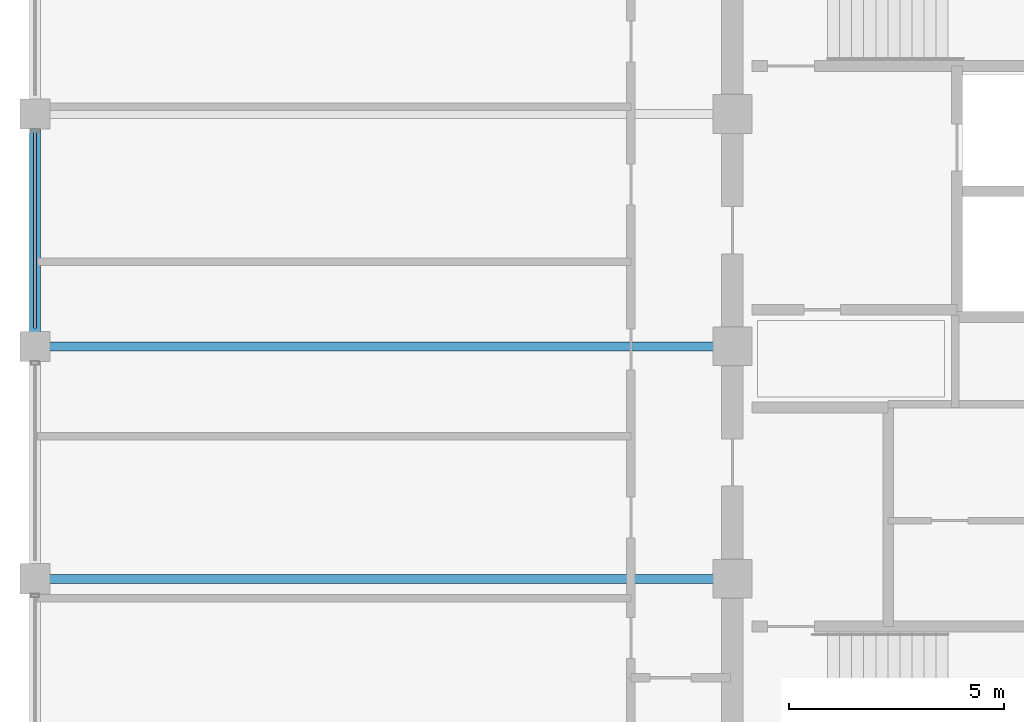
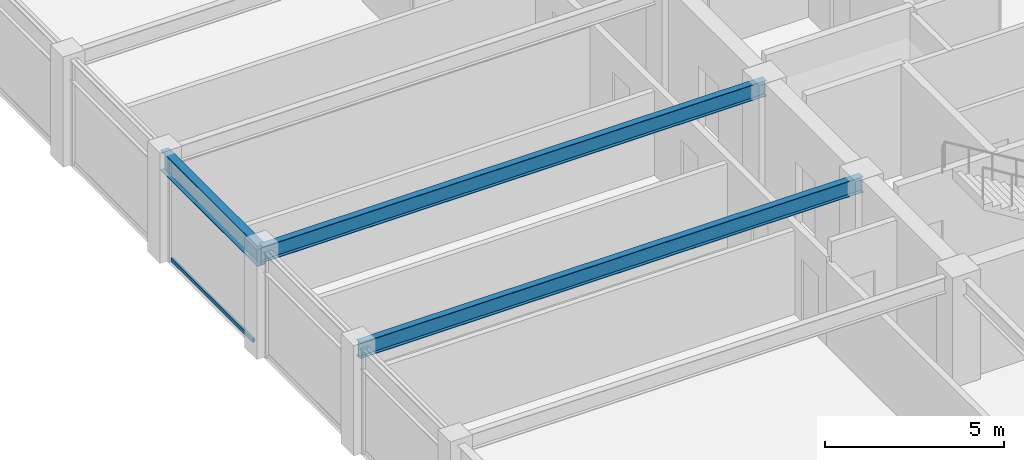
# One storey, part 9 of 30: 3 beams, 1 member, 1 element without a shape of its own.
"""IFC4 building model written with IfcOpenShell, lengths in metres."""

import ifcopenshell
import ifcopenshell.guid

model = None  # the IFC model being written
_history = None  # IfcOwnerHistory: only IFC2X3 demands one
_inside = {}  # id of a spatial element -> (the spatial element, [elements in it])
_under = {}  # id of a project, library or spatial element -> (it, [spatial elements below it])
_declared = {}  # id of a project -> (the project, [libraries it declares])
_typed = {}  # id of a type object -> (the type object, [elements of that type])
_made_of = {}  # id of a material, layer set ... -> (it, [elements and type objects made of it])


def new_model(schema):
    """Start an empty IFC model of exactly this schema.

    Asked for "IFC4X3", IfcOpenShell would pick the latest addendum, in which some entities
    have other attributes; the version numbers below select the first issue.
    IFC2X3 requires an IfcOwnerHistory on every rooted entity: one is made here for all.
    """
    global model, _history
    if schema == "IFC4X3":
        model = ifcopenshell.file(schema_version=(4, 3, 0, 0))
    else:
        model = ifcopenshell.file(schema=schema)
    _inside.clear()
    _under.clear()
    _declared.clear()
    _typed.clear()
    _made_of.clear()
    _history = None
    if model.schema == "IFC2X3":
        org = make("IfcOrganization", Name="unknown")
        user = make(
            "IfcPersonAndOrganization",
            ThePerson=make("IfcPerson", FamilyName="unknown"),
            TheOrganization=org,
        )
        app = make(
            "IfcApplication",
            ApplicationDeveloper=org,
            Version="unknown",
            ApplicationFullName="unknown",
            ApplicationIdentifier="unknown",
        )
        _history = make(
            "IfcOwnerHistory",
            OwningUser=user,
            OwningApplication=app,
            ChangeAction="ADDED",
            CreationDate=0,
        )
    return model


def make(cls, **values):
    """One entity of the class cls with the attributes given. An attribute that is None is left unset."""
    return model.create_entity(
        cls, **{name: value for name, value in values.items() if value is not None}
    )


def rooted(cls, **values):
    """An entity with a GlobalId (a new one), such as an element, a storey or a relation."""
    return make(cls, GlobalId=ifcopenshell.guid.new(), OwnerHistory=_history, **values)


def si_unit(unit_type, name, prefix=None):
    """IfcSIUnit, for example si_unit("LENGTHUNIT", "METRE", prefix="MILLI")."""
    return make("IfcSIUnit", UnitType=unit_type, Prefix=prefix, Name=name)


def assignment(units):
    """IfcUnitAssignment: the units of a project."""
    return None if units is None else make("IfcUnitAssignment", Units=units)


def point(xyz):
    """IfcCartesianPoint."""
    return None if xyz is None else make("IfcCartesianPoint", Coordinates=xyz)


def direction(xyz):
    """IfcDirection."""
    return None if xyz is None else make("IfcDirection", DirectionRatios=xyz)


def frame(location, z_axis=None, x_axis=None):
    """IfcAxis2Placement3D, a coordinate frame: its origin and axes. An axis left out is left unset."""
    return make(
        "IfcAxis2Placement3D",
        Location=point(location),
        Axis=direction(z_axis),
        RefDirection=direction(x_axis),
    )


def frame_2d(location, x_axis=None):
    """IfcAxis2Placement2D, a coordinate frame in the plane: its origin and x axis."""
    return make(
        "IfcAxis2Placement2D", Location=point(location), RefDirection=direction(x_axis)
    )


def origin():
    """The frame at (0, 0, 0) with its axes left unset."""
    return frame((0.0, 0.0, 0.0))


def origin_2d():
    """The frame at (0, 0) in the plane with its x axis left unset."""
    return frame_2d((0.0, 0.0))


def place(relative_to, where):
    """IfcLocalPlacement: puts the frame where relative to a parent placement (None: the world)."""
    return make(
        "IfcLocalPlacement", PlacementRelTo=relative_to, RelativePlacement=where
    )


def context(
    kind, dimensions, precision=None, world=None, true_north=None, identifier=None
):
    """IfcGeometricRepresentationContext, for example the 3D "Model" context."""
    return make(
        "IfcGeometricRepresentationContext",
        ContextIdentifier=identifier,
        ContextType=kind,
        CoordinateSpaceDimension=dimensions,
        Precision=precision,
        WorldCoordinateSystem=world,
        TrueNorth=true_north,
    )


def subcontext(parent, identifier, kind, view, scale=None):
    """IfcGeometricRepresentationSubContext, for example "Body" below "Model"."""
    return make(
        "IfcGeometricRepresentationSubContext",
        ContextIdentifier=identifier,
        ContextType=kind,
        ParentContext=parent,
        TargetScale=scale,
        TargetView=view,
    )


def project(units=None, contexts=None):
    """IfcProject with its units and contexts."""
    return rooted(
        "IfcProject",
        Name="project",
        RepresentationContexts=contexts,
        UnitsInContext=assignment(units),
    )


def spatial(cls, under=None, at=None, **own):
    """A site, building, storey or space (cls), placed at a placement, below another one or the project."""
    s = rooted(cls, ObjectPlacement=at, **own)
    if under is not None:
        _under.setdefault(under.id(), (under, []))[1].append(s)
    return s


def profile(cls, at=None, kind="AREA", **sizes):
    """A parametric profile (cls). Its sizes go by their IFC names, for example OverallWidth=200.0."""
    return make(cls, ProfileType=kind, Position=at, **sizes)


def hollow_rectangle(**sizes):
    """IfcRectangleHollowProfileDef."""
    return profile("IfcRectangleHollowProfileDef", **sizes)


def i_section(**sizes):
    """IfcIShapeProfileDef."""
    return profile("IfcIShapeProfileDef", **sizes)


def extrude(swept, where, along, depth):
    """IfcExtrudedAreaSolid: the profile swept, set in the frame where, extruded along a direction by depth."""
    return make(
        "IfcExtrudedAreaSolid",
        SweptArea=swept,
        Position=where,
        ExtrudedDirection=direction(along),
        Depth=depth,
    )


def shape(context_of_items, identifier, shape_type, items):
    """IfcShapeRepresentation: the items that make up one representation, for example the "Body"."""
    return make(
        "IfcShapeRepresentation",
        ContextOfItems=context_of_items,
        RepresentationIdentifier=identifier,
        RepresentationType=shape_type,
        Items=items,
    )


def material(Name=None, Category=None):
    """IfcMaterial."""
    return make("IfcMaterial", Name=Name, Category=Category)


def layer(
    of_material, thickness, ventilated=None, Name=None, Category=None, Priority=None
):
    """IfcMaterialLayer: one layer of a wall or slab, of a material (None: an air gap)."""
    return make(
        "IfcMaterialLayer",
        Material=of_material,
        LayerThickness=thickness,
        IsVentilated=ventilated,
        Name=Name,
        Category=Category,
        Priority=Priority,
    )


def layer_set(layers, Name=None):
    """IfcMaterialLayerSet."""
    return make("IfcMaterialLayerSet", MaterialLayers=layers, LayerSetName=Name)


def material_profile(
    of_material, cross_section, Name=None, Category=None, Priority=None
):
    """IfcMaterialProfile: a cross section and its material."""
    return make(
        "IfcMaterialProfile",
        Name=Name,
        Material=of_material,
        Profile=cross_section,
        Priority=Priority,
        Category=Category,
    )


def profile_set(profiles, Name=None, composite=None):
    """IfcMaterialProfileSet."""
    return make(
        "IfcMaterialProfileSet",
        Name=Name,
        MaterialProfiles=profiles,
        CompositeProfile=composite,
    )


def made_of(thing, what):
    """Note that an element or type object is made of a material, layer set ...; save() writes the relation."""
    if what is not None:
        _made_of.setdefault(what.id(), (what, []))[1].append(thing)
    return thing


def type_object(cls, material=None, **own):
    """A type object (cls), such as IfcWallType, which elements share."""
    return made_of(rooted(cls, **own), material)


def element(
    cls,
    number,
    at=None,
    inside=None,
    cuts=None,
    type_object=None,
    material=None,
    context=None,
    identifier="Body",
    shape_type=None,
    held_by="IfcProductDefinitionShape",
    body=None,
    shapes=None,
    **own,
):
    """One element of the class cls, such as IfcWall. Its Tag is "e" and its number.

    at: its placement. inside: the storey or other place that contains it. cuts: it is an
    opening in that element (IfcRelVoidsElement). A single representation is given by context,
    identifier, shape_type and body (its items); several are given by shapes. held_by: the class
    of the entity that holds the representations. save() writes the other relations.
    """
    e = rooted(cls, Tag="e%d" % number, ObjectPlacement=at, **own)
    if body is not None:
        shapes = [shape(context, identifier, shape_type, body)]
    if shapes is not None:
        e.Representation = make(held_by, Representations=shapes)
    if inside is not None:
        _inside.setdefault(inside.id(), (inside, []))[1].append(e)
    if cuts is not None:
        rooted(
            "IfcRelVoidsElement", RelatingBuildingElement=cuts, RelatedOpeningElement=e
        )
    if type_object is not None:
        _typed.setdefault(type_object.id(), (type_object, []))[1].append(e)
    return made_of(e, material)


def aggregate(whole, parts):
    """IfcRelAggregates: a whole, such as a stair, and the parts it consists of."""
    return rooted("IfcRelAggregates", RelatingObject=whole, RelatedObjects=parts)


def save(model, path):
    """Write the relations noted so far, then the file.

    IfcRelAggregates (storeys below a building ...), IfcRelContainedInSpatialStructure (elements
    in a storey), IfcRelDefinesByType, IfcRelAssociatesMaterial and IfcRelDeclares: one each for
    every whole, place, type object, material and project.
    """
    for whole, parts in _under.values():
        aggregate(whole, parts)
    for where, things in _inside.values():
        rooted(
            "IfcRelContainedInSpatialStructure",
            RelatedElements=things,
            RelatingStructure=where,
        )
    for kind, things in _typed.values():
        rooted("IfcRelDefinesByType", RelatedObjects=things, RelatingType=kind)
    for what, things in _made_of.values():
        rooted("IfcRelAssociatesMaterial", RelatedObjects=things, RelatingMaterial=what)
    for by, libraries in _declared.values():
        rooted("IfcRelDeclares", RelatingContext=by, RelatedDefinitions=libraries)
    model.write(path)


model = new_model("IFC4")

# Units and contexts
model_context = context("Model", 3, precision=1e-05, world=origin(), true_north=direction((0.0, 1.0)))
body_context = subcontext(model_context, "Body", "Model", "MODEL_VIEW")
ifc_project = project(units=[si_unit("LENGTHUNIT", "METRE"), si_unit("AREAUNIT", "SQUARE_METRE"), si_unit("VOLUMEUNIT", "CUBIC_METRE"), si_unit("PLANEANGLEUNIT", "RADIAN"), si_unit("MASSUNIT", "GRAM", prefix="KILO")], contexts=[model_context])

# Site, building, storey
site_placement = place(None, origin())
site = spatial("IfcSite", under=ifc_project, at=site_placement, CompositionType="ELEMENT")
building_placement = place(site_placement, origin())
building = spatial("IfcBuilding", under=site, at=building_placement, Name="Surkhivell Harbour Commons", CompositionType="ELEMENT")
storey_placement = place(building_placement, frame((0.0, 0.0, 292.5)))
storey = spatial("IfcBuildingStorey", under=building, at=storey_placement, Name="L76", CompositionType="ELEMENT", Elevation=292.5)

# Beams
ifc_material_1 = material(Name="Steel S355", Category="steel")
ifc_material_profile_1 = material_profile(ifc_material_1, i_section(OverallWidth=0.2099609375, OverallDepth=0.537109375, WebThickness=0.0107421875, FlangeThickness=0.017333984375, at=origin_2d()), Name="UB533x210x101")
ifc_profile_set_1 = profile_set([ifc_material_profile_1], Name="Steel S355")
beam_type_1 = type_object("IfcBeamType", Name="BM-GRD-533B", PredefinedType="BEAM", material=ifc_profile_set_1)
for number, where, z_axis, x_axis, name in (
    (1, (-27.0, -5.39990234375, 3.301513671875), (1.0, 0.0, 0.0), (0.0, 1.0, 0.0), "L76 Floor Girder (-27.0,-5.4)"),
    (2, (-27.0, 0.0, 3.301513671875), (1.0, 0.0, 0.0), (0.0, 1.0, 0.0), "L76 Floor Girder (-27.0,0.0)"),
):
    element("IfcBeam", number, at=place(storey_placement, frame(where, z_axis=z_axis, x_axis=x_axis)), inside=storey, type_object=beam_type_1, Name=name, PredefinedType="BEAM", context=body_context, shape_type="SweptSolid", body=[
        extrude(i_section(OverallWidth=0.2099609375, OverallDepth=0.537109375, WebThickness=0.0107421875, FlangeThickness=0.017333984375, at=origin_2d()), origin(), (0.0, 0.0, 1.0), 16.199951171875),
    ])
ifc_material_profile_2 = material_profile(ifc_material_1, i_section(OverallWidth=0.256103515625, OverallDepth=0.693115234375, WebThickness=0.014404296875, FlangeThickness=0.023681640625, at=origin_2d()), Name="UB686x254x170")
ifc_profile_set_2 = profile_set([ifc_material_profile_2], Name="Steel S355")
beam_type_2 = type_object("IfcBeamType", Name="BM-SPN-686", PredefinedType="SPANDREL", material=ifc_profile_set_2)
beam_placement = place(storey_placement, frame((-27.0, 0.0, 3.223388671875), z_axis=(0.0, 1.0, 0.0), x_axis=(-1.0, 0.0, 0.0)))
element("IfcBeam", 3, at=beam_placement, inside=storey, type_object=beam_type_2, Name="L76 Tube Spandrel (-27.0,0.0)", PredefinedType="SPANDREL", context=body_context, shape_type="SweptSolid", body=[
    extrude(i_section(OverallWidth=0.256103515625, OverallDepth=0.693115234375, WebThickness=0.014404296875, FlangeThickness=0.023681640625, at=origin_2d()), origin(), (0.0, 0.0, 1.0), 5.39990234375),
])

# Curtain wall, member
ifc_material_2 = material(Name="Anodised pale-metal aluminium and insulated glazing", Category="aluminium")
ifc_layer = layer(ifc_material_2, 0.175048828125)
ifc_layer_set = layer_set([ifc_layer], Name="Anodised pale-metal aluminium and insulated glazing")
curtain_wall_type = type_object("IfcCurtainWallType", Name="CW-SYS-Z4", PredefinedType="NOTDEFINED", material=ifc_layer_set)
curtain_wall_placement = place(storey_placement, origin())
curtain_wall = element("IfcCurtainWall", 4, at=curtain_wall_placement, inside=storey, type_object=curtain_wall_type, Name="L76 Curtain Wall CW-L76-E12S1", PredefinedType="NOTDEFINED")
ifc_material_3 = material(Name="Champagne anodised aluminium alloy 6063-T6", Category="aluminium")
ifc_material_profile_3 = material_profile(ifc_material_3, hollow_rectangle(XDim=0.070068359375, YDim=0.1298828125, WallThickness=0.00341796875, at=origin_2d()), Name="ALU-TRAN-70x130")
ifc_profile_set_3 = profile_set([ifc_material_profile_3], Name="Champagne anodised aluminium alloy 6063-T6")
member_type = type_object("IfcMemberType", Name="CWT-130", PredefinedType="USERDEFINED", material=ifc_profile_set_3)
member_placement = place(storey_placement, frame((-27.0, 4.972900390625, 0.06494140625), z_axis=(0.0, -1.0, 0.0), x_axis=(1.0, 0.0, 0.0)))
member = element("IfcMember", 5, at=member_placement, type_object=member_type, Name="CW-Z4 transom 4.1", ObjectType="TRANSOM", PredefinedType="USERDEFINED", context=body_context, shape_type="SweptSolid", body=[
    extrude(hollow_rectangle(XDim=0.070068359375, YDim=0.1298828125, WallThickness=0.00341796875, at=origin_2d()), origin(), (0.0, 0.0, 1.0), 4.5458984375),
])
aggregate(curtain_wall, [member])

save(model, "model.ifc")
